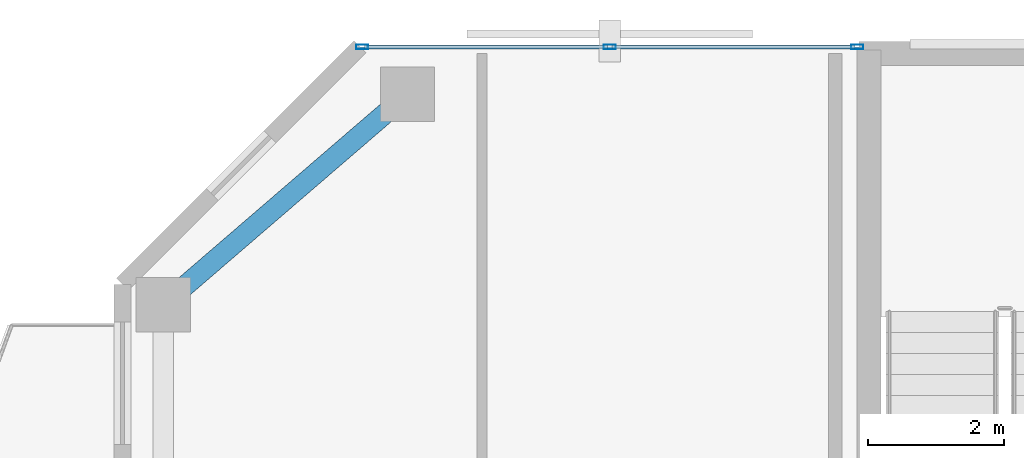
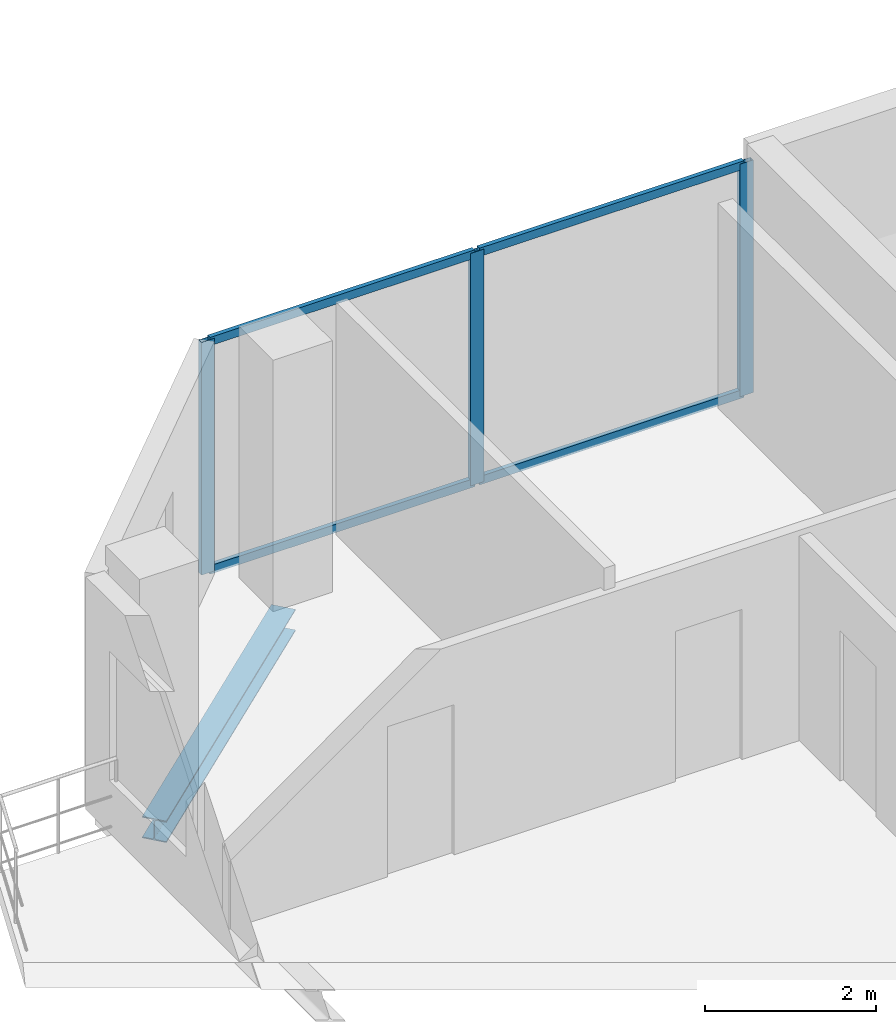
# One storey, part 15 of 24: 7 members, 1 beam, 1 element without a shape of its own.
"""IFC4 building model written with IfcOpenShell, lengths in metres."""

import ifcopenshell
import ifcopenshell.guid

model = None  # the IFC model being written
_history = None  # IfcOwnerHistory: only IFC2X3 demands one
_inside = {}  # id of a spatial element -> (the spatial element, [elements in it])
_under = {}  # id of a project, library or spatial element -> (it, [spatial elements below it])
_declared = {}  # id of a project -> (the project, [libraries it declares])
_typed = {}  # id of a type object -> (the type object, [elements of that type])
_made_of = {}  # id of a material, layer set ... -> (it, [elements and type objects made of it])


def new_model(schema):
    """Start an empty IFC model of exactly this schema.

    Asked for "IFC4X3", IfcOpenShell would pick the latest addendum, in which some entities
    have other attributes; the version numbers below select the first issue.
    IFC2X3 requires an IfcOwnerHistory on every rooted entity: one is made here for all.
    """
    global model, _history
    if schema == "IFC4X3":
        model = ifcopenshell.file(schema_version=(4, 3, 0, 0))
    else:
        model = ifcopenshell.file(schema=schema)
    _inside.clear()
    _under.clear()
    _declared.clear()
    _typed.clear()
    _made_of.clear()
    _history = None
    if model.schema == "IFC2X3":
        org = make("IfcOrganization", Name="unknown")
        user = make(
            "IfcPersonAndOrganization",
            ThePerson=make("IfcPerson", FamilyName="unknown"),
            TheOrganization=org,
        )
        app = make(
            "IfcApplication",
            ApplicationDeveloper=org,
            Version="unknown",
            ApplicationFullName="unknown",
            ApplicationIdentifier="unknown",
        )
        _history = make(
            "IfcOwnerHistory",
            OwningUser=user,
            OwningApplication=app,
            ChangeAction="ADDED",
            CreationDate=0,
        )
    return model


def make(cls, **values):
    """One entity of the class cls with the attributes given. An attribute that is None is left unset."""
    return model.create_entity(
        cls, **{name: value for name, value in values.items() if value is not None}
    )


def rooted(cls, **values):
    """An entity with a GlobalId (a new one), such as an element, a storey or a relation."""
    return make(cls, GlobalId=ifcopenshell.guid.new(), OwnerHistory=_history, **values)


def si_unit(unit_type, name, prefix=None):
    """IfcSIUnit, for example si_unit("LENGTHUNIT", "METRE", prefix="MILLI")."""
    return make("IfcSIUnit", UnitType=unit_type, Prefix=prefix, Name=name)


def assignment(units):
    """IfcUnitAssignment: the units of a project."""
    return None if units is None else make("IfcUnitAssignment", Units=units)


def point(xyz):
    """IfcCartesianPoint."""
    return None if xyz is None else make("IfcCartesianPoint", Coordinates=xyz)


def direction(xyz):
    """IfcDirection."""
    return None if xyz is None else make("IfcDirection", DirectionRatios=xyz)


def frame(location, z_axis=None, x_axis=None):
    """IfcAxis2Placement3D, a coordinate frame: its origin and axes. An axis left out is left unset."""
    return make(
        "IfcAxis2Placement3D",
        Location=point(location),
        Axis=direction(z_axis),
        RefDirection=direction(x_axis),
    )


def frame_2d(location, x_axis=None):
    """IfcAxis2Placement2D, a coordinate frame in the plane: its origin and x axis."""
    return make(
        "IfcAxis2Placement2D", Location=point(location), RefDirection=direction(x_axis)
    )


def origin():
    """The frame at (0, 0, 0) with its axes left unset."""
    return frame((0.0, 0.0, 0.0))


def origin_2d():
    """The frame at (0, 0) in the plane with its x axis left unset."""
    return frame_2d((0.0, 0.0))


def place(relative_to, where):
    """IfcLocalPlacement: puts the frame where relative to a parent placement (None: the world)."""
    return make(
        "IfcLocalPlacement", PlacementRelTo=relative_to, RelativePlacement=where
    )


def context(
    kind, dimensions, precision=None, world=None, true_north=None, identifier=None
):
    """IfcGeometricRepresentationContext, for example the 3D "Model" context."""
    return make(
        "IfcGeometricRepresentationContext",
        ContextIdentifier=identifier,
        ContextType=kind,
        CoordinateSpaceDimension=dimensions,
        Precision=precision,
        WorldCoordinateSystem=world,
        TrueNorth=true_north,
    )


def subcontext(parent, identifier, kind, view, scale=None):
    """IfcGeometricRepresentationSubContext, for example "Body" below "Model"."""
    return make(
        "IfcGeometricRepresentationSubContext",
        ContextIdentifier=identifier,
        ContextType=kind,
        ParentContext=parent,
        TargetScale=scale,
        TargetView=view,
    )


def project(units=None, contexts=None):
    """IfcProject with its units and contexts."""
    return rooted(
        "IfcProject",
        Name="project",
        RepresentationContexts=contexts,
        UnitsInContext=assignment(units),
    )


def spatial(cls, under=None, at=None, **own):
    """A site, building, storey or space (cls), placed at a placement, below another one or the project."""
    s = rooted(cls, ObjectPlacement=at, **own)
    if under is not None:
        _under.setdefault(under.id(), (under, []))[1].append(s)
    return s


def profile(cls, at=None, kind="AREA", **sizes):
    """A parametric profile (cls). Its sizes go by their IFC names, for example OverallWidth=200.0."""
    return make(cls, ProfileType=kind, Position=at, **sizes)


def hollow_rectangle(**sizes):
    """IfcRectangleHollowProfileDef."""
    return profile("IfcRectangleHollowProfileDef", **sizes)


def i_section(**sizes):
    """IfcIShapeProfileDef."""
    return profile("IfcIShapeProfileDef", **sizes)


def extrude(swept, where, along, depth):
    """IfcExtrudedAreaSolid: the profile swept, set in the frame where, extruded along a direction by depth."""
    return make(
        "IfcExtrudedAreaSolid",
        SweptArea=swept,
        Position=where,
        ExtrudedDirection=direction(along),
        Depth=depth,
    )


def shape(context_of_items, identifier, shape_type, items):
    """IfcShapeRepresentation: the items that make up one representation, for example the "Body"."""
    return make(
        "IfcShapeRepresentation",
        ContextOfItems=context_of_items,
        RepresentationIdentifier=identifier,
        RepresentationType=shape_type,
        Items=items,
    )


def material(Name=None, Category=None):
    """IfcMaterial."""
    return make("IfcMaterial", Name=Name, Category=Category)


def layer(
    of_material, thickness, ventilated=None, Name=None, Category=None, Priority=None
):
    """IfcMaterialLayer: one layer of a wall or slab, of a material (None: an air gap)."""
    return make(
        "IfcMaterialLayer",
        Material=of_material,
        LayerThickness=thickness,
        IsVentilated=ventilated,
        Name=Name,
        Category=Category,
        Priority=Priority,
    )


def layer_set(layers, Name=None):
    """IfcMaterialLayerSet."""
    return make("IfcMaterialLayerSet", MaterialLayers=layers, LayerSetName=Name)


def material_profile(
    of_material, cross_section, Name=None, Category=None, Priority=None
):
    """IfcMaterialProfile: a cross section and its material."""
    return make(
        "IfcMaterialProfile",
        Name=Name,
        Material=of_material,
        Profile=cross_section,
        Priority=Priority,
        Category=Category,
    )


def profile_set(profiles, Name=None, composite=None):
    """IfcMaterialProfileSet."""
    return make(
        "IfcMaterialProfileSet",
        Name=Name,
        MaterialProfiles=profiles,
        CompositeProfile=composite,
    )


def made_of(thing, what):
    """Note that an element or type object is made of a material, layer set ...; save() writes the relation."""
    if what is not None:
        _made_of.setdefault(what.id(), (what, []))[1].append(thing)
    return thing


def type_object(cls, material=None, **own):
    """A type object (cls), such as IfcWallType, which elements share."""
    return made_of(rooted(cls, **own), material)


def element(
    cls,
    number,
    at=None,
    inside=None,
    cuts=None,
    type_object=None,
    material=None,
    context=None,
    identifier="Body",
    shape_type=None,
    held_by="IfcProductDefinitionShape",
    body=None,
    shapes=None,
    **own,
):
    """One element of the class cls, such as IfcWall. Its Tag is "e" and its number.

    at: its placement. inside: the storey or other place that contains it. cuts: it is an
    opening in that element (IfcRelVoidsElement). A single representation is given by context,
    identifier, shape_type and body (its items); several are given by shapes. held_by: the class
    of the entity that holds the representations. save() writes the other relations.
    """
    e = rooted(cls, Tag="e%d" % number, ObjectPlacement=at, **own)
    if body is not None:
        shapes = [shape(context, identifier, shape_type, body)]
    if shapes is not None:
        e.Representation = make(held_by, Representations=shapes)
    if inside is not None:
        _inside.setdefault(inside.id(), (inside, []))[1].append(e)
    if cuts is not None:
        rooted(
            "IfcRelVoidsElement", RelatingBuildingElement=cuts, RelatedOpeningElement=e
        )
    if type_object is not None:
        _typed.setdefault(type_object.id(), (type_object, []))[1].append(e)
    return made_of(e, material)


def aggregate(whole, parts):
    """IfcRelAggregates: a whole, such as a stair, and the parts it consists of."""
    return rooted("IfcRelAggregates", RelatingObject=whole, RelatedObjects=parts)


def save(model, path):
    """Write the relations noted so far, then the file.

    IfcRelAggregates (storeys below a building ...), IfcRelContainedInSpatialStructure (elements
    in a storey), IfcRelDefinesByType, IfcRelAssociatesMaterial and IfcRelDeclares: one each for
    every whole, place, type object, material and project.
    """
    for whole, parts in _under.values():
        aggregate(whole, parts)
    for where, things in _inside.values():
        rooted(
            "IfcRelContainedInSpatialStructure",
            RelatedElements=things,
            RelatingStructure=where,
        )
    for kind, things in _typed.values():
        rooted("IfcRelDefinesByType", RelatedObjects=things, RelatingType=kind)
    for what, things in _made_of.values():
        rooted("IfcRelAssociatesMaterial", RelatedObjects=things, RelatingMaterial=what)
    for by, libraries in _declared.values():
        rooted("IfcRelDeclares", RelatingContext=by, RelatedDefinitions=libraries)
    model.write(path)


model = new_model("IFC4")

# Units and contexts
model_context = context("Model", 3, precision=1e-05, world=origin(), true_north=direction((0.0, 1.0)))
body_context = subcontext(model_context, "Body", "Model", "MODEL_VIEW")
ifc_project = project(units=[si_unit("LENGTHUNIT", "METRE"), si_unit("AREAUNIT", "SQUARE_METRE"), si_unit("VOLUMEUNIT", "CUBIC_METRE"), si_unit("PLANEANGLEUNIT", "RADIAN"), si_unit("MASSUNIT", "GRAM", prefix="KILO")], contexts=[model_context])

# Site, building, storey
site_placement = place(None, origin())
site = spatial("IfcSite", under=ifc_project, at=site_placement, CompositionType="ELEMENT")
building_placement = place(site_placement, origin())
building = spatial("IfcBuilding", under=site, at=building_placement, Name="Catumbela Crestline Tower", CompositionType="ELEMENT")
storey_placement = place(building_placement, frame((0.0, 0.0, 157.8)))
storey = spatial("IfcBuildingStorey", under=building, at=storey_placement, Name="L40", CompositionType="ELEMENT", Elevation=157.8)

# Curtain wall, members
ifc_material_1 = material(Name="Aluminium alloy AW-6060-T66", Category="aluminium")
ifc_layer = layer(ifc_material_1, 0.18, Name="Aluminium alloy AW-6060-T66")
ifc_layer_set = layer_set([ifc_layer], Name="Aluminium alloy AW-6060-T66")
curtain_wall_type = type_object("IfcCurtainWallType", Name="CWU-Z3", PredefinedType="USERDEFINED", material=ifc_layer_set)
curtain_wall_placement = place(storey_placement, origin())
curtain_wall = element("IfcCurtainWall", 1, at=curtain_wall_placement, inside=storey, type_object=curtain_wall_type, Name="L40 Unitised Curtain Wall CW-L40-E7S2", ObjectType="UNITISED", PredefinedType="USERDEFINED")
ifc_material_profile_1 = material_profile(ifc_material_1, hollow_rectangle(XDim=0.065, YDim=0.18, WallThickness=0.004, at=origin_2d()), Name="ALU 180x65x4")
ifc_profile_set_1 = profile_set([ifc_material_profile_1], Name="Aluminium alloy AW-6060-T66")
member_type_1 = type_object("IfcMemberType", Name="MUL-180X65", PredefinedType="MULLION", material=ifc_profile_set_1)
member_1_placement = place(storey_placement, frame((15.8275, 43.0, 0.0), z_axis=(0.0, 0.0, 1.0), x_axis=(0.0, -1.0, 0.0)))
member_1 = element("IfcMember", 2, at=member_1_placement, type_object=member_type_1, Name="CWU-Z3 mullion 1", PredefinedType="MULLION", context=body_context, shape_type="SweptSolid", body=[
    extrude(hollow_rectangle(XDim=0.065, YDim=0.18, WallThickness=0.004, at=origin_2d()), origin(), (0.0, 0.0, 1.0), 3.33),
])
member_2_placement = place(storey_placement, frame((12.18, 43.0, 0.0), z_axis=(0.0, 0.0, 1.0), x_axis=(0.0, -1.0, 0.0)))
member_2 = element("IfcMember", 3, at=member_2_placement, type_object=member_type_1, Name="CWU-Z3 mullion 2", PredefinedType="MULLION", context=body_context, shape_type="SweptSolid", body=[
    extrude(hollow_rectangle(XDim=0.065, YDim=0.18, WallThickness=0.004, at=origin_2d()), origin(), (0.0, 0.0, 1.0), 3.33),
])
member_3_placement = place(storey_placement, frame((8.5325, 43.0, 0.0), z_axis=(0.0, 0.0, 1.0), x_axis=(0.0, -1.0, 0.0)))
member_3 = element("IfcMember", 4, at=member_3_placement, type_object=member_type_1, Name="CWU-Z3 mullion 3", PredefinedType="MULLION", context=body_context, shape_type="SweptSolid", body=[
    extrude(hollow_rectangle(XDim=0.065, YDim=0.18, WallThickness=0.004, at=origin_2d()), origin(), (0.0, 0.0, 1.0), 3.33),
])

# Beam
ifc_material_2 = material(Name="Structural steel S355J2", Category="steel")
ifc_material_profile_2 = material_profile(ifc_material_2, i_section(OverallWidth=0.3, OverallDepth=0.31, WebThickness=0.009, FlangeThickness=0.0155, FilletRadius=0.027, at=origin_2d()), Name="HEA 320")
ifc_profile_set_2 = profile_set([ifc_material_profile_2], Name="Structural steel S355J2")
beam_type = type_object("IfcBeamType", Name="BS-HEA320", PredefinedType="SPANDREL", material=ifc_profile_set_2)
beam_placement = place(storey_placement, frame((5.6606, 39.2522, -0.415), z_axis=(0.757772392559, 0.652518966066, 0.0), x_axis=(-0.652518966066, 0.757772392559, 0.0)))
element("IfcBeam", 5, at=beam_placement, inside=storey, type_object=beam_type, Name="L40 Spandrel SP-L40-N10", PredefinedType="SPANDREL", context=body_context, shape_type="SweptSolid", body=[
    extrude(i_section(OverallWidth=0.3, OverallDepth=0.31, WebThickness=0.009, FlangeThickness=0.0155, FilletRadius=0.027, at=origin_2d()), origin(), (0.0, 0.0, 1.0), 4.5908),
])

# Member
ifc_material_profile_3 = material_profile(ifc_material_1, hollow_rectangle(XDim=0.06, YDim=0.12, WallThickness=0.0035, at=origin_2d()), Name="ALU 120x60x3.5")
ifc_profile_set_3 = profile_set([ifc_material_profile_3], Name="Aluminium alloy AW-6060-T66")
member_type_2 = type_object("IfcMemberType", Name="TRN-120X60", PredefinedType="USERDEFINED", material=ifc_profile_set_3)
member_4_placement = place(storey_placement, frame((15.795, 43.0, 0.03), z_axis=(-1.0, 0.0, 0.0), x_axis=(0.0, -1.0, 0.0)))
member_4 = element("IfcMember", 6, at=member_4_placement, type_object=member_type_2, Name="CWU-Z3 transom 1.1", ObjectType="TRANSOM", PredefinedType="USERDEFINED", context=body_context, shape_type="SweptSolid", body=[
    extrude(hollow_rectangle(XDim=0.06, YDim=0.12, WallThickness=0.0035, at=origin_2d()), origin(), (0.0, 0.0, 1.0), 3.5825),
])

member_5_placement = place(storey_placement, frame((15.795, 43.0, 3.3), z_axis=(-1.0, 0.0, 0.0), x_axis=(0.0, -1.0, 0.0)))
member_5 = element("IfcMember", 7, at=member_5_placement, type_object=member_type_2, Name="CWU-Z3 transom 1.2", ObjectType="TRANSOM", PredefinedType="USERDEFINED", context=body_context, shape_type="SweptSolid", body=[
    extrude(hollow_rectangle(XDim=0.06, YDim=0.12, WallThickness=0.0035, at=origin_2d()), origin(), (0.0, 0.0, 1.0), 3.5825),
])

member_6_placement = place(storey_placement, frame((12.1475, 43.0, 0.03), z_axis=(-1.0, 0.0, 0.0), x_axis=(0.0, -1.0, 0.0)))
member_6 = element("IfcMember", 8, at=member_6_placement, type_object=member_type_2, Name="CWU-Z3 transom 2.1", ObjectType="TRANSOM", PredefinedType="USERDEFINED", context=body_context, shape_type="SweptSolid", body=[
    extrude(hollow_rectangle(XDim=0.06, YDim=0.12, WallThickness=0.0035, at=origin_2d()), origin(), (0.0, 0.0, 1.0), 3.5825),
])

member_7_placement = place(storey_placement, frame((12.1475, 43.0, 3.3), z_axis=(-1.0, 0.0, 0.0), x_axis=(0.0, -1.0, 0.0)))
member_7 = element("IfcMember", 9, at=member_7_placement, type_object=member_type_2, Name="CWU-Z3 transom 2.2", ObjectType="TRANSOM", PredefinedType="USERDEFINED", context=body_context, shape_type="SweptSolid", body=[
    extrude(hollow_rectangle(XDim=0.06, YDim=0.12, WallThickness=0.0035, at=origin_2d()), origin(), (0.0, 0.0, 1.0), 3.5825),
])

aggregate(curtain_wall, [member_1, member_2, member_3, member_4, member_5, member_6, member_7])

save(model, "model.ifc")
